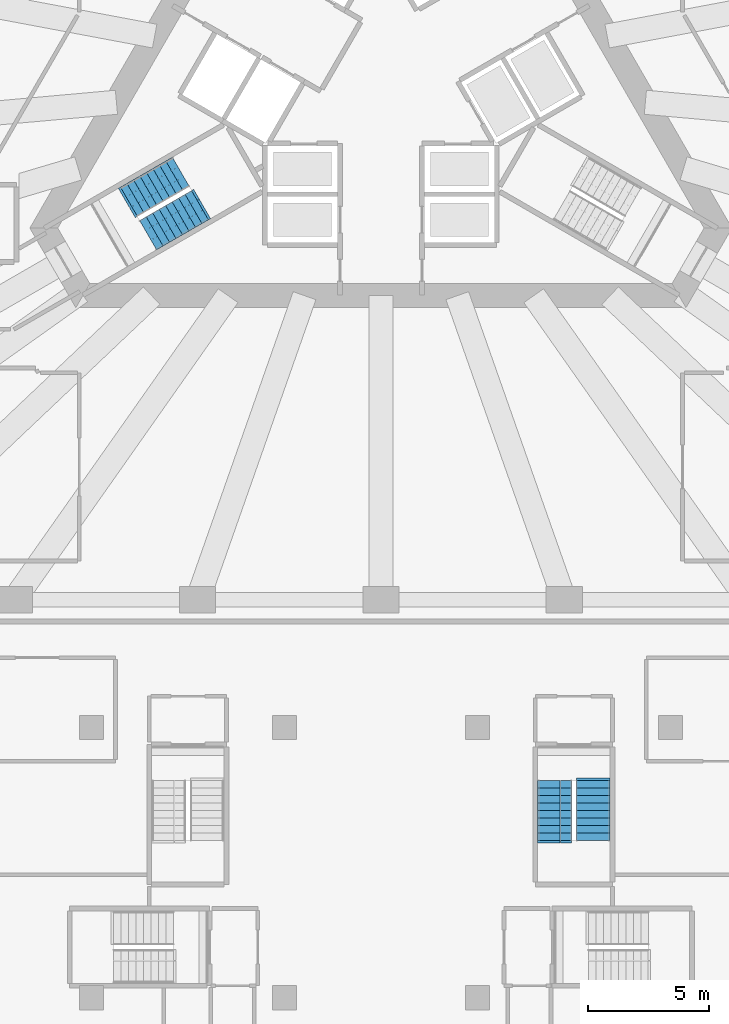
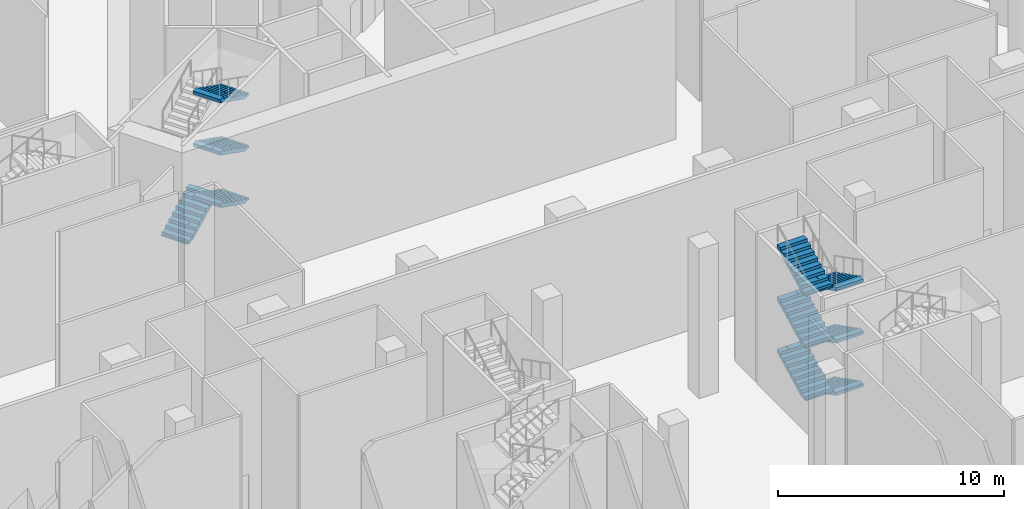
# One storey, part 31 of 41: 10 stair flights, 2 elements without a shape of their own.
"""IFC4 building model written with IfcOpenShell, lengths in metres."""

from ifc_helpers import new_model, si_unit, direction, frame, origin, place, context, subcontext, project, spatial, polyline, outline, extrude, material, type_object, element, aggregate, save


model = new_model("IFC4")

# Units and contexts
model_context = context("Model", 3, precision=1e-05, world=origin(), true_north=direction((0.0, 1.0)))
body_context = subcontext(model_context, "Body", "Model", "MODEL_VIEW")
ifc_project = project(units=[si_unit("LENGTHUNIT", "METRE"), si_unit("AREAUNIT", "SQUARE_METRE"), si_unit("VOLUMEUNIT", "CUBIC_METRE"), si_unit("PLANEANGLEUNIT", "RADIAN"), si_unit("MASSUNIT", "GRAM", prefix="KILO")], contexts=[model_context])

# Site, building, storey
site_placement = place(None, origin())
site = spatial("IfcSite", under=ifc_project, at=site_placement, CompositionType="ELEMENT")
building_placement = place(site_placement, origin())
building = spatial("IfcBuilding", under=site, at=building_placement, Name="Triada Interchange Tower", CompositionType="ELEMENT")
storey_placement = place(building_placement, origin())
storey = spatial("IfcBuildingStorey", under=building, at=storey_placement, Name="L00", CompositionType="ELEMENT", Elevation=0.0)

# Stair, stair flights
ifc_material = material(Name="Concrete C35/45", Category="concrete")
stair_type = type_object("IfcStairType", Name="HALF TURN STAIR 1400", PredefinedType="HALF_TURN_STAIR", material=ifc_material)
stair_1_placement = place(storey_placement, origin())
stair_1 = element("IfcStair", 1, at=stair_1_placement, inside=storey, type_object=stair_type, Name="Exit stair S00-2", PredefinedType="HALF_TURN_STAIR")
stair_flight_type = type_object("IfcStairFlightType", Name="STRAIGHT STAIR FLIGHT 1400", PredefinedType="STRAIGHT", material=ifc_material)
stair_flight_1_placement = place(storey_placement, frame((-10.446044921875, -5.10693359375, 0.0), z_axis=(0.0, 0.0, 1.0), x_axis=(0.866025403784, 0.5, 0.0)))
stair_flight_1 = element("IfcStairFlight", 2, at=stair_flight_1_placement, type_object=stair_flight_type, Name="S00-2 flight 1", NumberOfRisers=9, NumberOfTreads=8, PredefinedType="STRAIGHT", RiserHeight=0.15741, TreadLength=0.31, context=body_context, shape_type="SweptSolid", body=[
    extrude(outline(polyline([(-0.10009765625, 0.0), (-0.10009765625, 0.02001953125), (0.0, 0.02001953125), (0.0, 0.157470703125), (0.31005859375, 0.157470703125), (0.31005859375, 0.31494140625), (0.6201171875, 0.31494140625), (0.6201171875, 0.47216796875), (0.929931640625, 0.47216796875), (0.929931640625, 0.629638671875), (1.239990234375, 0.629638671875), (1.239990234375, 0.787109375), (1.550048828125, 0.787109375), (1.550048828125, 0.944580078125), (1.860107421875, 0.944580078125), (1.860107421875, 1.101806640625), (2.169921875, 1.101806640625), (2.169921875, 1.25927734375), (2.47998046875, 1.25927734375), (2.48388671875, 1.25927734375), (2.48388671875, 1.416748046875), (2.48388671875, 1.091064453125), (0.3310546875, 0.0), (-0.10009765625, 0.0)])), frame((0.0, 0.699951171875, 0.0), z_axis=(0.0, -1.0, 0.0), x_axis=(1.0, 0.0, 0.0)), (0.0, 0.0, 1.0), 0.46533203125),
    extrude(outline(polyline([(-0.10009765625, 0.0), (-0.10009765625, 0.02001953125), (0.0, 0.02001953125), (0.0, 0.157470703125), (0.31005859375, 0.157470703125), (0.31005859375, 0.31494140625), (0.6201171875, 0.31494140625), (0.6201171875, 0.47216796875), (0.929931640625, 0.47216796875), (0.929931640625, 0.629638671875), (1.239990234375, 0.629638671875), (1.239990234375, 0.787109375), (1.550048828125, 0.787109375), (1.550048828125, 0.944580078125), (1.860107421875, 0.944580078125), (1.860107421875, 1.101806640625), (2.169921875, 1.101806640625), (2.169921875, 1.25927734375), (2.47998046875, 1.25927734375), (2.48388671875, 1.25927734375), (2.48388671875, 1.416748046875), (2.48388671875, 1.091064453125), (0.3310546875, 0.0), (-0.10009765625, 0.0)])), frame((0.0, 0.232666015625, 0.0), z_axis=(0.0, -1.0, 0.0), x_axis=(1.0, 0.0, 0.0)), (0.0, 0.0, 1.0), 0.46533203125),
    extrude(outline(polyline([(-0.10009765625, 0.0), (-0.10009765625, 0.02001953125), (0.0, 0.02001953125), (0.0, 0.157470703125), (0.31005859375, 0.157470703125), (0.31005859375, 0.31494140625), (0.6201171875, 0.31494140625), (0.6201171875, 0.47216796875), (0.929931640625, 0.47216796875), (0.929931640625, 0.629638671875), (1.239990234375, 0.629638671875), (1.239990234375, 0.787109375), (1.550048828125, 0.787109375), (1.550048828125, 0.944580078125), (1.860107421875, 0.944580078125), (1.860107421875, 1.101806640625), (2.169921875, 1.101806640625), (2.169921875, 1.25927734375), (2.47998046875, 1.25927734375), (2.48388671875, 1.25927734375), (2.48388671875, 1.416748046875), (2.48388671875, 1.091064453125), (0.3310546875, 0.0), (-0.10009765625, 0.0)])), frame((0.0, -0.234619140625, 0.0), z_axis=(0.0, -1.0, 0.0), x_axis=(1.0, 0.0, 0.0)), (0.0, 0.0, 1.0), 0.46533203125),
])
stair_flight_2_placement = place(storey_placement, frame((-7.498046875, -5.2529296875, 1.416748046875), z_axis=(0.0, 0.0, 1.0), x_axis=(-0.866025403784, -0.5, 0.0)))
stair_flight_2 = element("IfcStairFlight", 3, at=stair_flight_2_placement, type_object=stair_flight_type, Name="S00-2 flight 2", NumberOfRisers=9, NumberOfTreads=8, PredefinedType="STRAIGHT", RiserHeight=0.15741, TreadLength=0.31, context=body_context, shape_type="SweptSolid", body=[
    extrude(outline(polyline([(-0.10009765625, 0.0), (-0.10009765625, 0.02001953125), (0.0, 0.02001953125), (0.0, 0.157470703125), (0.31005859375, 0.157470703125), (0.31005859375, 0.31494140625), (0.6201171875, 0.31494140625), (0.6201171875, 0.47216796875), (0.929931640625, 0.47216796875), (0.929931640625, 0.629638671875), (1.239990234375, 0.629638671875), (1.239990234375, 0.787109375), (1.550048828125, 0.787109375), (1.550048828125, 0.944580078125), (1.860107421875, 0.944580078125), (1.860107421875, 1.101806640625), (2.169921875, 1.101806640625), (2.169921875, 1.25927734375), (2.47998046875, 1.25927734375), (2.48388671875, 1.25927734375), (2.48388671875, 1.416748046875), (2.48388671875, 1.091064453125), (0.3310546875, 0.0), (-0.10009765625, 0.0)])), frame((0.0, 0.699951171875, 0.0), z_axis=(0.0, -1.0, 0.0), x_axis=(1.0, 0.0, 0.0)), (0.0, 0.0, 1.0), 0.46533203125),
    extrude(outline(polyline([(-0.10009765625, 0.0), (-0.10009765625, 0.02001953125), (0.0, 0.02001953125), (0.0, 0.157470703125), (0.31005859375, 0.157470703125), (0.31005859375, 0.31494140625), (0.6201171875, 0.31494140625), (0.6201171875, 0.47216796875), (0.929931640625, 0.47216796875), (0.929931640625, 0.629638671875), (1.239990234375, 0.629638671875), (1.239990234375, 0.787109375), (1.550048828125, 0.787109375), (1.550048828125, 0.944580078125), (1.860107421875, 0.944580078125), (1.860107421875, 1.101806640625), (2.169921875, 1.101806640625), (2.169921875, 1.25927734375), (2.47998046875, 1.25927734375), (2.48388671875, 1.25927734375), (2.48388671875, 1.416748046875), (2.48388671875, 1.091064453125), (0.3310546875, 0.0), (-0.10009765625, 0.0)])), frame((0.0, 0.232666015625, 0.0), z_axis=(0.0, -1.0, 0.0), x_axis=(1.0, 0.0, 0.0)), (0.0, 0.0, 1.0), 0.46533203125),
    extrude(outline(polyline([(-0.10009765625, 0.0), (-0.10009765625, 0.02001953125), (0.0, 0.02001953125), (0.0, 0.157470703125), (0.31005859375, 0.157470703125), (0.31005859375, 0.31494140625), (0.6201171875, 0.31494140625), (0.6201171875, 0.47216796875), (0.929931640625, 0.47216796875), (0.929931640625, 0.629638671875), (1.239990234375, 0.629638671875), (1.239990234375, 0.787109375), (1.550048828125, 0.787109375), (1.550048828125, 0.944580078125), (1.860107421875, 0.944580078125), (1.860107421875, 1.101806640625), (2.169921875, 1.101806640625), (2.169921875, 1.25927734375), (2.47998046875, 1.25927734375), (2.48388671875, 1.25927734375), (2.48388671875, 1.416748046875), (2.48388671875, 1.091064453125), (0.3310546875, 0.0), (-0.10009765625, 0.0)])), frame((0.0, -0.234619140625, 0.0), z_axis=(0.0, -1.0, 0.0), x_axis=(1.0, 0.0, 0.0)), (0.0, 0.0, 1.0), 0.46533203125),
])
stair_flight_3_placement = place(storey_placement, frame((-7.498046875, -5.2529296875, 4.25), z_axis=(0.0, 0.0, 1.0), x_axis=(-0.866025403784, -0.5, 0.0)))
stair_flight_3 = element("IfcStairFlight", 4, at=stair_flight_3_placement, type_object=stair_flight_type, Name="S00-2 flight 4", NumberOfRisers=9, NumberOfTreads=8, PredefinedType="STRAIGHT", RiserHeight=0.15741, TreadLength=0.31, context=body_context, shape_type="SweptSolid", body=[
    extrude(outline(polyline([(-0.10009765625, 0.0), (-0.10009765625, 0.02001953125), (0.0, 0.02001953125), (0.0, 0.157470703125), (0.31005859375, 0.157470703125), (0.31005859375, 0.31494140625), (0.6201171875, 0.31494140625), (0.6201171875, 0.47216796875), (0.929931640625, 0.47216796875), (0.929931640625, 0.629638671875), (1.239990234375, 0.629638671875), (1.239990234375, 0.787109375), (1.550048828125, 0.787109375), (1.550048828125, 0.944580078125), (1.860107421875, 0.944580078125), (1.860107421875, 1.101806640625), (2.169921875, 1.101806640625), (2.169921875, 1.25927734375), (2.47998046875, 1.25927734375), (2.48388671875, 1.25927734375), (2.48388671875, 1.416748046875), (2.48388671875, 1.091064453125), (0.3310546875, 0.0), (-0.10009765625, 0.0)])), frame((0.0, 0.699951171875, 0.0), z_axis=(0.0, -1.0, 0.0), x_axis=(1.0, 0.0, 0.0)), (0.0, 0.0, 1.0), 0.46533203125),
    extrude(outline(polyline([(-0.10009765625, 0.0), (-0.10009765625, 0.02001953125), (0.0, 0.02001953125), (0.0, 0.157470703125), (0.31005859375, 0.157470703125), (0.31005859375, 0.31494140625), (0.6201171875, 0.31494140625), (0.6201171875, 0.47216796875), (0.929931640625, 0.47216796875), (0.929931640625, 0.629638671875), (1.239990234375, 0.629638671875), (1.239990234375, 0.787109375), (1.550048828125, 0.787109375), (1.550048828125, 0.944580078125), (1.860107421875, 0.944580078125), (1.860107421875, 1.101806640625), (2.169921875, 1.101806640625), (2.169921875, 1.25927734375), (2.47998046875, 1.25927734375), (2.48388671875, 1.25927734375), (2.48388671875, 1.416748046875), (2.48388671875, 1.091064453125), (0.3310546875, 0.0), (-0.10009765625, 0.0)])), frame((0.0, 0.232666015625, 0.0), z_axis=(0.0, -1.0, 0.0), x_axis=(1.0, 0.0, 0.0)), (0.0, 0.0, 1.0), 0.46533203125),
    extrude(outline(polyline([(-0.10009765625, 0.0), (-0.10009765625, 0.02001953125), (0.0, 0.02001953125), (0.0, 0.157470703125), (0.31005859375, 0.157470703125), (0.31005859375, 0.31494140625), (0.6201171875, 0.31494140625), (0.6201171875, 0.47216796875), (0.929931640625, 0.47216796875), (0.929931640625, 0.629638671875), (1.239990234375, 0.629638671875), (1.239990234375, 0.787109375), (1.550048828125, 0.787109375), (1.550048828125, 0.944580078125), (1.860107421875, 0.944580078125), (1.860107421875, 1.101806640625), (2.169921875, 1.101806640625), (2.169921875, 1.25927734375), (2.47998046875, 1.25927734375), (2.48388671875, 1.25927734375), (2.48388671875, 1.416748046875), (2.48388671875, 1.091064453125), (0.3310546875, 0.0), (-0.10009765625, 0.0)])), frame((0.0, -0.234619140625, 0.0), z_axis=(0.0, -1.0, 0.0), x_axis=(1.0, 0.0, 0.0)), (0.0, 0.0, 1.0), 0.46533203125),
])
stair_flight_4_placement = place(storey_placement, frame((-7.498046875, -5.2529296875, 7.08349609375), z_axis=(0.0, 0.0, 1.0), x_axis=(-0.866025403784, -0.5, 0.0)))
stair_flight_4 = element("IfcStairFlight", 5, at=stair_flight_4_placement, type_object=stair_flight_type, Name="S00-2 flight 6", NumberOfRisers=9, NumberOfTreads=8, PredefinedType="STRAIGHT", RiserHeight=0.15741, TreadLength=0.31, context=body_context, shape_type="SweptSolid", body=[
    extrude(outline(polyline([(-0.10009765625, 0.0), (-0.10009765625, 0.02001953125), (0.0, 0.02001953125), (0.0, 0.157470703125), (0.31005859375, 0.157470703125), (0.31005859375, 0.31494140625), (0.6201171875, 0.31494140625), (0.6201171875, 0.47216796875), (0.929931640625, 0.47216796875), (0.929931640625, 0.629638671875), (1.239990234375, 0.629638671875), (1.239990234375, 0.787109375), (1.550048828125, 0.787109375), (1.550048828125, 0.944580078125), (1.860107421875, 0.944580078125), (1.860107421875, 1.101806640625), (2.169921875, 1.101806640625), (2.169921875, 1.25927734375), (2.47998046875, 1.25927734375), (2.48388671875, 1.25927734375), (2.48388671875, 1.416748046875), (2.48388671875, 1.091064453125), (0.3310546875, 0.0), (-0.10009765625, 0.0)])), frame((0.0, 0.699951171875, 0.0), z_axis=(0.0, -1.0, 0.0), x_axis=(1.0, 0.0, 0.0)), (0.0, 0.0, 1.0), 0.46533203125),
    extrude(outline(polyline([(-0.10009765625, 0.0), (-0.10009765625, 0.02001953125), (0.0, 0.02001953125), (0.0, 0.157470703125), (0.31005859375, 0.157470703125), (0.31005859375, 0.31494140625), (0.6201171875, 0.31494140625), (0.6201171875, 0.47216796875), (0.929931640625, 0.47216796875), (0.929931640625, 0.629638671875), (1.239990234375, 0.629638671875), (1.239990234375, 0.787109375), (1.550048828125, 0.787109375), (1.550048828125, 0.944580078125), (1.860107421875, 0.944580078125), (1.860107421875, 1.101806640625), (2.169921875, 1.101806640625), (2.169921875, 1.25927734375), (2.47998046875, 1.25927734375), (2.48388671875, 1.25927734375), (2.48388671875, 1.416748046875), (2.48388671875, 1.091064453125), (0.3310546875, 0.0), (-0.10009765625, 0.0)])), frame((0.0, 0.232666015625, 0.0), z_axis=(0.0, -1.0, 0.0), x_axis=(1.0, 0.0, 0.0)), (0.0, 0.0, 1.0), 0.46533203125),
    extrude(outline(polyline([(-0.10009765625, 0.0), (-0.10009765625, 0.02001953125), (0.0, 0.02001953125), (0.0, 0.157470703125), (0.31005859375, 0.157470703125), (0.31005859375, 0.31494140625), (0.6201171875, 0.31494140625), (0.6201171875, 0.47216796875), (0.929931640625, 0.47216796875), (0.929931640625, 0.629638671875), (1.239990234375, 0.629638671875), (1.239990234375, 0.787109375), (1.550048828125, 0.787109375), (1.550048828125, 0.944580078125), (1.860107421875, 0.944580078125), (1.860107421875, 1.101806640625), (2.169921875, 1.101806640625), (2.169921875, 1.25927734375), (2.47998046875, 1.25927734375), (2.48388671875, 1.25927734375), (2.48388671875, 1.416748046875), (2.48388671875, 1.091064453125), (0.3310546875, 0.0), (-0.10009765625, 0.0)])), frame((0.0, -0.234619140625, 0.0), z_axis=(0.0, -1.0, 0.0), x_axis=(1.0, 0.0, 0.0)), (0.0, 0.0, 1.0), 0.46533203125),
])
aggregate(stair_1, [stair_flight_1, stair_flight_2, stair_flight_3, stair_flight_4])

stair_2_placement = place(storey_placement, origin())
stair_2 = element("IfcStair", 6, at=stair_2_placement, inside=storey, type_object=stair_type, Name="Exit stair S00-10", PredefinedType="HALF_TURN_STAIR")
stair_flight_5_placement = place(storey_placement, frame((8.800048828125, -29.10009765625, 0.0), z_axis=(0.0, 0.0, 1.0), x_axis=(0.0, -1.0, 0.0)))
stair_flight_5 = element("IfcStairFlight", 7, at=stair_flight_5_placement, type_object=stair_flight_type, Name="S00-10 flight 1", NumberOfRisers=9, NumberOfTreads=8, PredefinedType="STRAIGHT", RiserHeight=0.15741, TreadLength=0.31, context=body_context, shape_type="SweptSolid", body=[
    extrude(outline(polyline([(-0.10009765625, 0.0), (-0.10009765625, 0.02001953125), (0.0, 0.02001953125), (0.0, 0.157470703125), (0.31005859375, 0.157470703125), (0.31005859375, 0.31494140625), (0.6201171875, 0.31494140625), (0.6201171875, 0.47216796875), (0.929931640625, 0.47216796875), (0.929931640625, 0.629638671875), (1.239990234375, 0.629638671875), (1.239990234375, 0.787109375), (1.550048828125, 0.787109375), (1.550048828125, 0.944580078125), (1.860107421875, 0.944580078125), (1.860107421875, 1.101806640625), (2.169921875, 1.101806640625), (2.169921875, 1.25927734375), (2.47998046875, 1.25927734375), (2.48388671875, 1.25927734375), (2.48388671875, 1.416748046875), (2.48388671875, 1.091064453125), (0.3310546875, 0.0), (-0.10009765625, 0.0)])), frame((0.0, 0.699951171875, 0.0), z_axis=(0.0, -1.0, 0.0), x_axis=(1.0, 0.0, 0.0)), (0.0, 0.0, 1.0), 0.46533203125),
    extrude(outline(polyline([(-0.10009765625, 0.0), (-0.10009765625, 0.02001953125), (0.0, 0.02001953125), (0.0, 0.157470703125), (0.31005859375, 0.157470703125), (0.31005859375, 0.31494140625), (0.6201171875, 0.31494140625), (0.6201171875, 0.47216796875), (0.929931640625, 0.47216796875), (0.929931640625, 0.629638671875), (1.239990234375, 0.629638671875), (1.239990234375, 0.787109375), (1.550048828125, 0.787109375), (1.550048828125, 0.944580078125), (1.860107421875, 0.944580078125), (1.860107421875, 1.101806640625), (2.169921875, 1.101806640625), (2.169921875, 1.25927734375), (2.47998046875, 1.25927734375), (2.48388671875, 1.25927734375), (2.48388671875, 1.416748046875), (2.48388671875, 1.091064453125), (0.3310546875, 0.0), (-0.10009765625, 0.0)])), frame((0.0, 0.232666015625, 0.0), z_axis=(0.0, -1.0, 0.0), x_axis=(1.0, 0.0, 0.0)), (0.0, 0.0, 1.0), 0.46533203125),
    extrude(outline(polyline([(-0.10009765625, 0.0), (-0.10009765625, 0.02001953125), (0.0, 0.02001953125), (0.0, 0.157470703125), (0.31005859375, 0.157470703125), (0.31005859375, 0.31494140625), (0.6201171875, 0.31494140625), (0.6201171875, 0.47216796875), (0.929931640625, 0.47216796875), (0.929931640625, 0.629638671875), (1.239990234375, 0.629638671875), (1.239990234375, 0.787109375), (1.550048828125, 0.787109375), (1.550048828125, 0.944580078125), (1.860107421875, 0.944580078125), (1.860107421875, 1.101806640625), (2.169921875, 1.101806640625), (2.169921875, 1.25927734375), (2.47998046875, 1.25927734375), (2.48388671875, 1.25927734375), (2.48388671875, 1.416748046875), (2.48388671875, 1.091064453125), (0.3310546875, 0.0), (-0.10009765625, 0.0)])), frame((0.0, -0.234619140625, 0.0), z_axis=(0.0, -1.0, 0.0), x_axis=(1.0, 0.0, 0.0)), (0.0, 0.0, 1.0), 0.46533203125),
])
stair_flight_6_placement = place(storey_placement, frame((7.199951171875, -31.580078125, 1.416748046875), z_axis=(0.0, 0.0, 1.0), x_axis=(0.0, 1.0, 0.0)))
stair_flight_6 = element("IfcStairFlight", 8, at=stair_flight_6_placement, type_object=stair_flight_type, Name="S00-10 flight 2", NumberOfRisers=9, NumberOfTreads=8, PredefinedType="STRAIGHT", RiserHeight=0.15741, TreadLength=0.31, context=body_context, shape_type="SweptSolid", body=[
    extrude(outline(polyline([(-0.10009765625, 0.0), (-0.10009765625, 0.02001953125), (0.0, 0.02001953125), (0.0, 0.157470703125), (0.31005859375, 0.157470703125), (0.31005859375, 0.31494140625), (0.6201171875, 0.31494140625), (0.6201171875, 0.47216796875), (0.929931640625, 0.47216796875), (0.929931640625, 0.629638671875), (1.239990234375, 0.629638671875), (1.239990234375, 0.787109375), (1.550048828125, 0.787109375), (1.550048828125, 0.944580078125), (1.860107421875, 0.944580078125), (1.860107421875, 1.101806640625), (2.169921875, 1.101806640625), (2.169921875, 1.25927734375), (2.47998046875, 1.25927734375), (2.48388671875, 1.25927734375), (2.48388671875, 1.416748046875), (2.48388671875, 1.091064453125), (0.3310546875, 0.0), (-0.10009765625, 0.0)])), frame((0.0, 0.699951171875, 0.0), z_axis=(0.0, -1.0, 0.0), x_axis=(1.0, 0.0, 0.0)), (0.0, 0.0, 1.0), 0.46533203125),
    extrude(outline(polyline([(-0.10009765625, 0.0), (-0.10009765625, 0.02001953125), (0.0, 0.02001953125), (0.0, 0.157470703125), (0.31005859375, 0.157470703125), (0.31005859375, 0.31494140625), (0.6201171875, 0.31494140625), (0.6201171875, 0.47216796875), (0.929931640625, 0.47216796875), (0.929931640625, 0.629638671875), (1.239990234375, 0.629638671875), (1.239990234375, 0.787109375), (1.550048828125, 0.787109375), (1.550048828125, 0.944580078125), (1.860107421875, 0.944580078125), (1.860107421875, 1.101806640625), (2.169921875, 1.101806640625), (2.169921875, 1.25927734375), (2.47998046875, 1.25927734375), (2.48388671875, 1.25927734375), (2.48388671875, 1.416748046875), (2.48388671875, 1.091064453125), (0.3310546875, 0.0), (-0.10009765625, 0.0)])), frame((0.0, 0.232666015625, 0.0), z_axis=(0.0, -1.0, 0.0), x_axis=(1.0, 0.0, 0.0)), (0.0, 0.0, 1.0), 0.46533203125),
    extrude(outline(polyline([(-0.10009765625, 0.0), (-0.10009765625, 0.02001953125), (0.0, 0.02001953125), (0.0, 0.157470703125), (0.31005859375, 0.157470703125), (0.31005859375, 0.31494140625), (0.6201171875, 0.31494140625), (0.6201171875, 0.47216796875), (0.929931640625, 0.47216796875), (0.929931640625, 0.629638671875), (1.239990234375, 0.629638671875), (1.239990234375, 0.787109375), (1.550048828125, 0.787109375), (1.550048828125, 0.944580078125), (1.860107421875, 0.944580078125), (1.860107421875, 1.101806640625), (2.169921875, 1.101806640625), (2.169921875, 1.25927734375), (2.47998046875, 1.25927734375), (2.48388671875, 1.25927734375), (2.48388671875, 1.416748046875), (2.48388671875, 1.091064453125), (0.3310546875, 0.0), (-0.10009765625, 0.0)])), frame((0.0, -0.234619140625, 0.0), z_axis=(0.0, -1.0, 0.0), x_axis=(1.0, 0.0, 0.0)), (0.0, 0.0, 1.0), 0.46533203125),
])
stair_flight_7_placement = place(storey_placement, frame((8.800048828125, -29.10009765625, 2.83349609375), z_axis=(0.0, 0.0, 1.0), x_axis=(0.0, -1.0, 0.0)))
stair_flight_7 = element("IfcStairFlight", 9, at=stair_flight_7_placement, type_object=stair_flight_type, Name="S00-10 flight 3", NumberOfRisers=9, NumberOfTreads=8, PredefinedType="STRAIGHT", RiserHeight=0.15741, TreadLength=0.31, context=body_context, shape_type="SweptSolid", body=[
    extrude(outline(polyline([(-0.10009765625, 0.0), (-0.10009765625, 0.02001953125), (0.0, 0.02001953125), (0.0, 0.157470703125), (0.31005859375, 0.157470703125), (0.31005859375, 0.31494140625), (0.6201171875, 0.31494140625), (0.6201171875, 0.47216796875), (0.929931640625, 0.47216796875), (0.929931640625, 0.629638671875), (1.239990234375, 0.629638671875), (1.239990234375, 0.787109375), (1.550048828125, 0.787109375), (1.550048828125, 0.944580078125), (1.860107421875, 0.944580078125), (1.860107421875, 1.101806640625), (2.169921875, 1.101806640625), (2.169921875, 1.25927734375), (2.47998046875, 1.25927734375), (2.48388671875, 1.25927734375), (2.48388671875, 1.416748046875), (2.48388671875, 1.091064453125), (0.3310546875, 0.0), (-0.10009765625, 0.0)])), frame((0.0, 0.699951171875, 0.0), z_axis=(0.0, -1.0, 0.0), x_axis=(1.0, 0.0, 0.0)), (0.0, 0.0, 1.0), 0.46533203125),
    extrude(outline(polyline([(-0.10009765625, 0.0), (-0.10009765625, 0.02001953125), (0.0, 0.02001953125), (0.0, 0.157470703125), (0.31005859375, 0.157470703125), (0.31005859375, 0.31494140625), (0.6201171875, 0.31494140625), (0.6201171875, 0.47216796875), (0.929931640625, 0.47216796875), (0.929931640625, 0.629638671875), (1.239990234375, 0.629638671875), (1.239990234375, 0.787109375), (1.550048828125, 0.787109375), (1.550048828125, 0.944580078125), (1.860107421875, 0.944580078125), (1.860107421875, 1.101806640625), (2.169921875, 1.101806640625), (2.169921875, 1.25927734375), (2.47998046875, 1.25927734375), (2.48388671875, 1.25927734375), (2.48388671875, 1.416748046875), (2.48388671875, 1.091064453125), (0.3310546875, 0.0), (-0.10009765625, 0.0)])), frame((0.0, 0.232666015625, 0.0), z_axis=(0.0, -1.0, 0.0), x_axis=(1.0, 0.0, 0.0)), (0.0, 0.0, 1.0), 0.46533203125),
    extrude(outline(polyline([(-0.10009765625, 0.0), (-0.10009765625, 0.02001953125), (0.0, 0.02001953125), (0.0, 0.157470703125), (0.31005859375, 0.157470703125), (0.31005859375, 0.31494140625), (0.6201171875, 0.31494140625), (0.6201171875, 0.47216796875), (0.929931640625, 0.47216796875), (0.929931640625, 0.629638671875), (1.239990234375, 0.629638671875), (1.239990234375, 0.787109375), (1.550048828125, 0.787109375), (1.550048828125, 0.944580078125), (1.860107421875, 0.944580078125), (1.860107421875, 1.101806640625), (2.169921875, 1.101806640625), (2.169921875, 1.25927734375), (2.47998046875, 1.25927734375), (2.48388671875, 1.25927734375), (2.48388671875, 1.416748046875), (2.48388671875, 1.091064453125), (0.3310546875, 0.0), (-0.10009765625, 0.0)])), frame((0.0, -0.234619140625, 0.0), z_axis=(0.0, -1.0, 0.0), x_axis=(1.0, 0.0, 0.0)), (0.0, 0.0, 1.0), 0.46533203125),
])
stair_flight_8_placement = place(storey_placement, frame((7.199951171875, -31.580078125, 4.25), z_axis=(0.0, 0.0, 1.0), x_axis=(0.0, 1.0, 0.0)))
stair_flight_8 = element("IfcStairFlight", 10, at=stair_flight_8_placement, type_object=stair_flight_type, Name="S00-10 flight 4", NumberOfRisers=9, NumberOfTreads=8, PredefinedType="STRAIGHT", RiserHeight=0.15741, TreadLength=0.31, context=body_context, shape_type="SweptSolid", body=[
    extrude(outline(polyline([(-0.10009765625, 0.0), (-0.10009765625, 0.02001953125), (0.0, 0.02001953125), (0.0, 0.157470703125), (0.31005859375, 0.157470703125), (0.31005859375, 0.31494140625), (0.6201171875, 0.31494140625), (0.6201171875, 0.47216796875), (0.929931640625, 0.47216796875), (0.929931640625, 0.629638671875), (1.239990234375, 0.629638671875), (1.239990234375, 0.787109375), (1.550048828125, 0.787109375), (1.550048828125, 0.944580078125), (1.860107421875, 0.944580078125), (1.860107421875, 1.101806640625), (2.169921875, 1.101806640625), (2.169921875, 1.25927734375), (2.47998046875, 1.25927734375), (2.48388671875, 1.25927734375), (2.48388671875, 1.416748046875), (2.48388671875, 1.091064453125), (0.3310546875, 0.0), (-0.10009765625, 0.0)])), frame((0.0, 0.699951171875, 0.0), z_axis=(0.0, -1.0, 0.0), x_axis=(1.0, 0.0, 0.0)), (0.0, 0.0, 1.0), 0.46533203125),
    extrude(outline(polyline([(-0.10009765625, 0.0), (-0.10009765625, 0.02001953125), (0.0, 0.02001953125), (0.0, 0.157470703125), (0.31005859375, 0.157470703125), (0.31005859375, 0.31494140625), (0.6201171875, 0.31494140625), (0.6201171875, 0.47216796875), (0.929931640625, 0.47216796875), (0.929931640625, 0.629638671875), (1.239990234375, 0.629638671875), (1.239990234375, 0.787109375), (1.550048828125, 0.787109375), (1.550048828125, 0.944580078125), (1.860107421875, 0.944580078125), (1.860107421875, 1.101806640625), (2.169921875, 1.101806640625), (2.169921875, 1.25927734375), (2.47998046875, 1.25927734375), (2.48388671875, 1.25927734375), (2.48388671875, 1.416748046875), (2.48388671875, 1.091064453125), (0.3310546875, 0.0), (-0.10009765625, 0.0)])), frame((0.0, 0.232666015625, 0.0), z_axis=(0.0, -1.0, 0.0), x_axis=(1.0, 0.0, 0.0)), (0.0, 0.0, 1.0), 0.46533203125),
    extrude(outline(polyline([(-0.10009765625, 0.0), (-0.10009765625, 0.02001953125), (0.0, 0.02001953125), (0.0, 0.157470703125), (0.31005859375, 0.157470703125), (0.31005859375, 0.31494140625), (0.6201171875, 0.31494140625), (0.6201171875, 0.47216796875), (0.929931640625, 0.47216796875), (0.929931640625, 0.629638671875), (1.239990234375, 0.629638671875), (1.239990234375, 0.787109375), (1.550048828125, 0.787109375), (1.550048828125, 0.944580078125), (1.860107421875, 0.944580078125), (1.860107421875, 1.101806640625), (2.169921875, 1.101806640625), (2.169921875, 1.25927734375), (2.47998046875, 1.25927734375), (2.48388671875, 1.25927734375), (2.48388671875, 1.416748046875), (2.48388671875, 1.091064453125), (0.3310546875, 0.0), (-0.10009765625, 0.0)])), frame((0.0, -0.234619140625, 0.0), z_axis=(0.0, -1.0, 0.0), x_axis=(1.0, 0.0, 0.0)), (0.0, 0.0, 1.0), 0.46533203125),
])
stair_flight_9_placement = place(storey_placement, frame((8.800048828125, -29.10009765625, 5.666748046875), z_axis=(0.0, 0.0, 1.0), x_axis=(0.0, -1.0, 0.0)))
stair_flight_9 = element("IfcStairFlight", 11, at=stair_flight_9_placement, type_object=stair_flight_type, Name="S00-10 flight 5", NumberOfRisers=9, NumberOfTreads=8, PredefinedType="STRAIGHT", RiserHeight=0.15741, TreadLength=0.31, context=body_context, shape_type="SweptSolid", body=[
    extrude(outline(polyline([(-0.10009765625, 0.0), (-0.10009765625, 0.02001953125), (0.0, 0.02001953125), (0.0, 0.157470703125), (0.31005859375, 0.157470703125), (0.31005859375, 0.31494140625), (0.6201171875, 0.31494140625), (0.6201171875, 0.47216796875), (0.929931640625, 0.47216796875), (0.929931640625, 0.629638671875), (1.239990234375, 0.629638671875), (1.239990234375, 0.787109375), (1.550048828125, 0.787109375), (1.550048828125, 0.944580078125), (1.860107421875, 0.944580078125), (1.860107421875, 1.101806640625), (2.169921875, 1.101806640625), (2.169921875, 1.25927734375), (2.47998046875, 1.25927734375), (2.48388671875, 1.25927734375), (2.48388671875, 1.416748046875), (2.48388671875, 1.091064453125), (0.3310546875, 0.0), (-0.10009765625, 0.0)])), frame((0.0, 0.699951171875, 0.0), z_axis=(0.0, -1.0, 0.0), x_axis=(1.0, 0.0, 0.0)), (0.0, 0.0, 1.0), 0.46533203125),
    extrude(outline(polyline([(-0.10009765625, 0.0), (-0.10009765625, 0.02001953125), (0.0, 0.02001953125), (0.0, 0.157470703125), (0.31005859375, 0.157470703125), (0.31005859375, 0.31494140625), (0.6201171875, 0.31494140625), (0.6201171875, 0.47216796875), (0.929931640625, 0.47216796875), (0.929931640625, 0.629638671875), (1.239990234375, 0.629638671875), (1.239990234375, 0.787109375), (1.550048828125, 0.787109375), (1.550048828125, 0.944580078125), (1.860107421875, 0.944580078125), (1.860107421875, 1.101806640625), (2.169921875, 1.101806640625), (2.169921875, 1.25927734375), (2.47998046875, 1.25927734375), (2.48388671875, 1.25927734375), (2.48388671875, 1.416748046875), (2.48388671875, 1.091064453125), (0.3310546875, 0.0), (-0.10009765625, 0.0)])), frame((0.0, 0.232666015625, 0.0), z_axis=(0.0, -1.0, 0.0), x_axis=(1.0, 0.0, 0.0)), (0.0, 0.0, 1.0), 0.46533203125),
    extrude(outline(polyline([(-0.10009765625, 0.0), (-0.10009765625, 0.02001953125), (0.0, 0.02001953125), (0.0, 0.157470703125), (0.31005859375, 0.157470703125), (0.31005859375, 0.31494140625), (0.6201171875, 0.31494140625), (0.6201171875, 0.47216796875), (0.929931640625, 0.47216796875), (0.929931640625, 0.629638671875), (1.239990234375, 0.629638671875), (1.239990234375, 0.787109375), (1.550048828125, 0.787109375), (1.550048828125, 0.944580078125), (1.860107421875, 0.944580078125), (1.860107421875, 1.101806640625), (2.169921875, 1.101806640625), (2.169921875, 1.25927734375), (2.47998046875, 1.25927734375), (2.48388671875, 1.25927734375), (2.48388671875, 1.416748046875), (2.48388671875, 1.091064453125), (0.3310546875, 0.0), (-0.10009765625, 0.0)])), frame((0.0, -0.234619140625, 0.0), z_axis=(0.0, -1.0, 0.0), x_axis=(1.0, 0.0, 0.0)), (0.0, 0.0, 1.0), 0.46533203125),
])
stair_flight_10_placement = place(storey_placement, frame((7.199951171875, -31.580078125, 7.08349609375), z_axis=(0.0, 0.0, 1.0), x_axis=(0.0, 1.0, 0.0)))
stair_flight_10 = element("IfcStairFlight", 12, at=stair_flight_10_placement, type_object=stair_flight_type, Name="S00-10 flight 6", NumberOfRisers=9, NumberOfTreads=8, PredefinedType="STRAIGHT", RiserHeight=0.15741, TreadLength=0.31, context=body_context, shape_type="SweptSolid", body=[
    extrude(outline(polyline([(-0.10009765625, 0.0), (-0.10009765625, 0.02001953125), (0.0, 0.02001953125), (0.0, 0.157470703125), (0.31005859375, 0.157470703125), (0.31005859375, 0.31494140625), (0.6201171875, 0.31494140625), (0.6201171875, 0.47216796875), (0.929931640625, 0.47216796875), (0.929931640625, 0.629638671875), (1.239990234375, 0.629638671875), (1.239990234375, 0.787109375), (1.550048828125, 0.787109375), (1.550048828125, 0.944580078125), (1.860107421875, 0.944580078125), (1.860107421875, 1.101806640625), (2.169921875, 1.101806640625), (2.169921875, 1.25927734375), (2.47998046875, 1.25927734375), (2.48388671875, 1.25927734375), (2.48388671875, 1.416748046875), (2.48388671875, 1.091064453125), (0.3310546875, 0.0), (-0.10009765625, 0.0)])), frame((0.0, 0.699951171875, 0.0), z_axis=(0.0, -1.0, 0.0), x_axis=(1.0, 0.0, 0.0)), (0.0, 0.0, 1.0), 0.46533203125),
    extrude(outline(polyline([(-0.10009765625, 0.0), (-0.10009765625, 0.02001953125), (0.0, 0.02001953125), (0.0, 0.157470703125), (0.31005859375, 0.157470703125), (0.31005859375, 0.31494140625), (0.6201171875, 0.31494140625), (0.6201171875, 0.47216796875), (0.929931640625, 0.47216796875), (0.929931640625, 0.629638671875), (1.239990234375, 0.629638671875), (1.239990234375, 0.787109375), (1.550048828125, 0.787109375), (1.550048828125, 0.944580078125), (1.860107421875, 0.944580078125), (1.860107421875, 1.101806640625), (2.169921875, 1.101806640625), (2.169921875, 1.25927734375), (2.47998046875, 1.25927734375), (2.48388671875, 1.25927734375), (2.48388671875, 1.416748046875), (2.48388671875, 1.091064453125), (0.3310546875, 0.0), (-0.10009765625, 0.0)])), frame((0.0, 0.232666015625, 0.0), z_axis=(0.0, -1.0, 0.0), x_axis=(1.0, 0.0, 0.0)), (0.0, 0.0, 1.0), 0.46533203125),
    extrude(outline(polyline([(-0.10009765625, 0.0), (-0.10009765625, 0.02001953125), (0.0, 0.02001953125), (0.0, 0.157470703125), (0.31005859375, 0.157470703125), (0.31005859375, 0.31494140625), (0.6201171875, 0.31494140625), (0.6201171875, 0.47216796875), (0.929931640625, 0.47216796875), (0.929931640625, 0.629638671875), (1.239990234375, 0.629638671875), (1.239990234375, 0.787109375), (1.550048828125, 0.787109375), (1.550048828125, 0.944580078125), (1.860107421875, 0.944580078125), (1.860107421875, 1.101806640625), (2.169921875, 1.101806640625), (2.169921875, 1.25927734375), (2.47998046875, 1.25927734375), (2.48388671875, 1.25927734375), (2.48388671875, 1.416748046875), (2.48388671875, 1.091064453125), (0.3310546875, 0.0), (-0.10009765625, 0.0)])), frame((0.0, -0.234619140625, 0.0), z_axis=(0.0, -1.0, 0.0), x_axis=(1.0, 0.0, 0.0)), (0.0, 0.0, 1.0), 0.46533203125),
])
aggregate(stair_2, [stair_flight_5, stair_flight_6, stair_flight_7, stair_flight_8, stair_flight_9, stair_flight_10])

save(model, "model.ifc")
